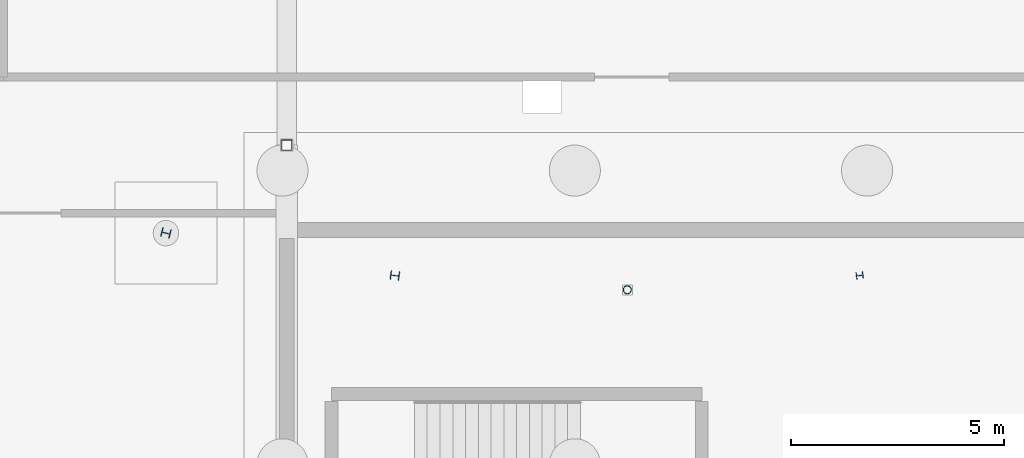
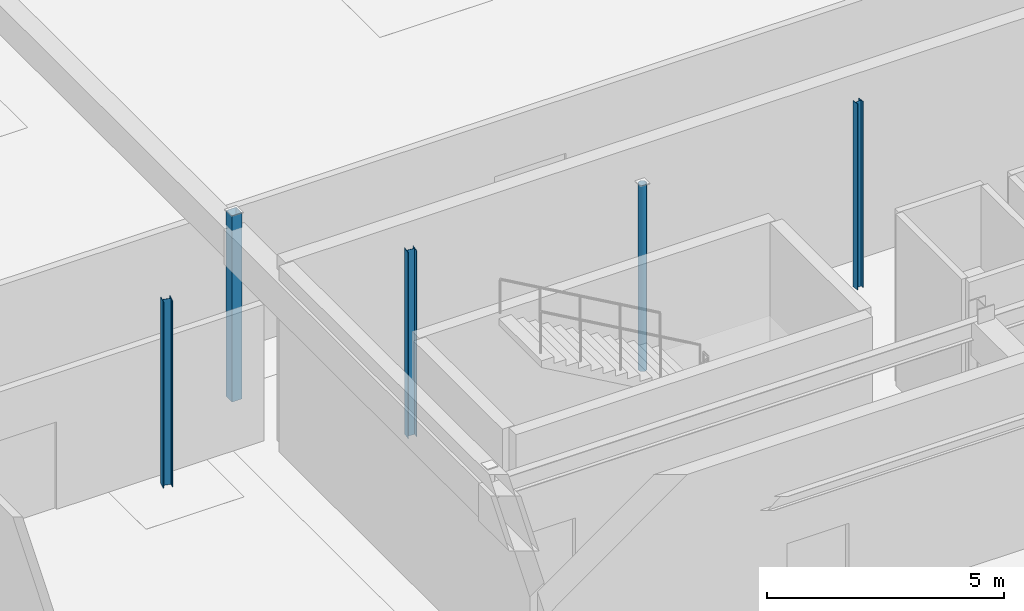
# One storey, part 23 of 136: 5 columns.
"""IFC4 building model written with IfcOpenShell, lengths in metres."""

import ifcopenshell
import ifcopenshell.guid

model = None  # the IFC model being written
_history = None  # IfcOwnerHistory: only IFC2X3 demands one
_inside = {}  # id of a spatial element -> (the spatial element, [elements in it])
_under = {}  # id of a project, library or spatial element -> (it, [spatial elements below it])
_declared = {}  # id of a project -> (the project, [libraries it declares])
_typed = {}  # id of a type object -> (the type object, [elements of that type])
_made_of = {}  # id of a material, layer set ... -> (it, [elements and type objects made of it])


def new_model(schema):
    """Start an empty IFC model of exactly this schema.

    Asked for "IFC4X3", IfcOpenShell would pick the latest addendum, in which some entities
    have other attributes; the version numbers below select the first issue.
    IFC2X3 requires an IfcOwnerHistory on every rooted entity: one is made here for all.
    """
    global model, _history
    if schema == "IFC4X3":
        model = ifcopenshell.file(schema_version=(4, 3, 0, 0))
    else:
        model = ifcopenshell.file(schema=schema)
    _inside.clear()
    _under.clear()
    _declared.clear()
    _typed.clear()
    _made_of.clear()
    _history = None
    if model.schema == "IFC2X3":
        org = make("IfcOrganization", Name="unknown")
        user = make(
            "IfcPersonAndOrganization",
            ThePerson=make("IfcPerson", FamilyName="unknown"),
            TheOrganization=org,
        )
        app = make(
            "IfcApplication",
            ApplicationDeveloper=org,
            Version="unknown",
            ApplicationFullName="unknown",
            ApplicationIdentifier="unknown",
        )
        _history = make(
            "IfcOwnerHistory",
            OwningUser=user,
            OwningApplication=app,
            ChangeAction="ADDED",
            CreationDate=0,
        )
    return model


def make(cls, **values):
    """One entity of the class cls with the attributes given. An attribute that is None is left unset."""
    return model.create_entity(
        cls, **{name: value for name, value in values.items() if value is not None}
    )


def rooted(cls, **values):
    """An entity with a GlobalId (a new one), such as an element, a storey or a relation."""
    return make(cls, GlobalId=ifcopenshell.guid.new(), OwnerHistory=_history, **values)


def si_unit(unit_type, name, prefix=None):
    """IfcSIUnit, for example si_unit("LENGTHUNIT", "METRE", prefix="MILLI")."""
    return make("IfcSIUnit", UnitType=unit_type, Prefix=prefix, Name=name)


def assignment(units):
    """IfcUnitAssignment: the units of a project."""
    return None if units is None else make("IfcUnitAssignment", Units=units)


def point(xyz):
    """IfcCartesianPoint."""
    return None if xyz is None else make("IfcCartesianPoint", Coordinates=xyz)


def direction(xyz):
    """IfcDirection."""
    return None if xyz is None else make("IfcDirection", DirectionRatios=xyz)


def frame(location, z_axis=None, x_axis=None):
    """IfcAxis2Placement3D, a coordinate frame: its origin and axes. An axis left out is left unset."""
    return make(
        "IfcAxis2Placement3D",
        Location=point(location),
        Axis=direction(z_axis),
        RefDirection=direction(x_axis),
    )


def frame_2d(location, x_axis=None):
    """IfcAxis2Placement2D, a coordinate frame in the plane: its origin and x axis."""
    return make(
        "IfcAxis2Placement2D", Location=point(location), RefDirection=direction(x_axis)
    )


def origin():
    """The frame at (0, 0, 0) with its axes left unset."""
    return frame((0.0, 0.0, 0.0))


def origin_2d():
    """The frame at (0, 0) in the plane with its x axis left unset."""
    return frame_2d((0.0, 0.0))


def place(relative_to, where):
    """IfcLocalPlacement: puts the frame where relative to a parent placement (None: the world)."""
    return make(
        "IfcLocalPlacement", PlacementRelTo=relative_to, RelativePlacement=where
    )


def context(
    kind, dimensions, precision=None, world=None, true_north=None, identifier=None
):
    """IfcGeometricRepresentationContext, for example the 3D "Model" context."""
    return make(
        "IfcGeometricRepresentationContext",
        ContextIdentifier=identifier,
        ContextType=kind,
        CoordinateSpaceDimension=dimensions,
        Precision=precision,
        WorldCoordinateSystem=world,
        TrueNorth=true_north,
    )


def subcontext(parent, identifier, kind, view, scale=None):
    """IfcGeometricRepresentationSubContext, for example "Body" below "Model"."""
    return make(
        "IfcGeometricRepresentationSubContext",
        ContextIdentifier=identifier,
        ContextType=kind,
        ParentContext=parent,
        TargetScale=scale,
        TargetView=view,
    )


def project(units=None, contexts=None):
    """IfcProject with its units and contexts."""
    return rooted(
        "IfcProject",
        Name="project",
        RepresentationContexts=contexts,
        UnitsInContext=assignment(units),
    )


def spatial(cls, under=None, at=None, **own):
    """A site, building, storey or space (cls), placed at a placement, below another one or the project."""
    s = rooted(cls, ObjectPlacement=at, **own)
    if under is not None:
        _under.setdefault(under.id(), (under, []))[1].append(s)
    return s


def profile(cls, at=None, kind="AREA", **sizes):
    """A parametric profile (cls). Its sizes go by their IFC names, for example OverallWidth=200.0."""
    return make(cls, ProfileType=kind, Position=at, **sizes)


def hollow_rectangle(**sizes):
    """IfcRectangleHollowProfileDef."""
    return profile("IfcRectangleHollowProfileDef", **sizes)


def hollow_circle(**sizes):
    """IfcCircleHollowProfileDef."""
    return profile("IfcCircleHollowProfileDef", **sizes)


def i_section(**sizes):
    """IfcIShapeProfileDef."""
    return profile("IfcIShapeProfileDef", **sizes)


def extrude(swept, where, along, depth):
    """IfcExtrudedAreaSolid: the profile swept, set in the frame where, extruded along a direction by depth."""
    return make(
        "IfcExtrudedAreaSolid",
        SweptArea=swept,
        Position=where,
        ExtrudedDirection=direction(along),
        Depth=depth,
    )


def shape(context_of_items, identifier, shape_type, items):
    """IfcShapeRepresentation: the items that make up one representation, for example the "Body"."""
    return make(
        "IfcShapeRepresentation",
        ContextOfItems=context_of_items,
        RepresentationIdentifier=identifier,
        RepresentationType=shape_type,
        Items=items,
    )


def material(Name=None, Category=None):
    """IfcMaterial."""
    return make("IfcMaterial", Name=Name, Category=Category)


def material_profile(
    of_material, cross_section, Name=None, Category=None, Priority=None
):
    """IfcMaterialProfile: a cross section and its material."""
    return make(
        "IfcMaterialProfile",
        Name=Name,
        Material=of_material,
        Profile=cross_section,
        Priority=Priority,
        Category=Category,
    )


def profile_set(profiles, Name=None, composite=None):
    """IfcMaterialProfileSet."""
    return make(
        "IfcMaterialProfileSet",
        Name=Name,
        MaterialProfiles=profiles,
        CompositeProfile=composite,
    )


def made_of(thing, what):
    """Note that an element or type object is made of a material, layer set ...; save() writes the relation."""
    if what is not None:
        _made_of.setdefault(what.id(), (what, []))[1].append(thing)
    return thing


def type_object(cls, material=None, **own):
    """A type object (cls), such as IfcWallType, which elements share."""
    return made_of(rooted(cls, **own), material)


def element(
    cls,
    number,
    at=None,
    inside=None,
    cuts=None,
    type_object=None,
    material=None,
    context=None,
    identifier="Body",
    shape_type=None,
    held_by="IfcProductDefinitionShape",
    body=None,
    shapes=None,
    **own,
):
    """One element of the class cls, such as IfcWall. Its Tag is "e" and its number.

    at: its placement. inside: the storey or other place that contains it. cuts: it is an
    opening in that element (IfcRelVoidsElement). A single representation is given by context,
    identifier, shape_type and body (its items); several are given by shapes. held_by: the class
    of the entity that holds the representations. save() writes the other relations.
    """
    e = rooted(cls, Tag="e%d" % number, ObjectPlacement=at, **own)
    if body is not None:
        shapes = [shape(context, identifier, shape_type, body)]
    if shapes is not None:
        e.Representation = make(held_by, Representations=shapes)
    if inside is not None:
        _inside.setdefault(inside.id(), (inside, []))[1].append(e)
    if cuts is not None:
        rooted(
            "IfcRelVoidsElement", RelatingBuildingElement=cuts, RelatedOpeningElement=e
        )
    if type_object is not None:
        _typed.setdefault(type_object.id(), (type_object, []))[1].append(e)
    return made_of(e, material)


def aggregate(whole, parts):
    """IfcRelAggregates: a whole, such as a stair, and the parts it consists of."""
    return rooted("IfcRelAggregates", RelatingObject=whole, RelatedObjects=parts)


def save(model, path):
    """Write the relations noted so far, then the file.

    IfcRelAggregates (storeys below a building ...), IfcRelContainedInSpatialStructure (elements
    in a storey), IfcRelDefinesByType, IfcRelAssociatesMaterial and IfcRelDeclares: one each for
    every whole, place, type object, material and project.
    """
    for whole, parts in _under.values():
        aggregate(whole, parts)
    for where, things in _inside.values():
        rooted(
            "IfcRelContainedInSpatialStructure",
            RelatedElements=things,
            RelatingStructure=where,
        )
    for kind, things in _typed.values():
        rooted("IfcRelDefinesByType", RelatedObjects=things, RelatingType=kind)
    for what, things in _made_of.values():
        rooted("IfcRelAssociatesMaterial", RelatedObjects=things, RelatingMaterial=what)
    for by, libraries in _declared.values():
        rooted("IfcRelDeclares", RelatingContext=by, RelatedDefinitions=libraries)
    model.write(path)


model = new_model("IFC4")

# Units and contexts
model_context = context("Model", 3, precision=1e-05, world=origin(), true_north=direction((0.0, 1.0)))
body_context = subcontext(model_context, "Body", "Model", "MODEL_VIEW")
ifc_project = project(units=[si_unit("LENGTHUNIT", "METRE"), si_unit("AREAUNIT", "SQUARE_METRE"), si_unit("VOLUMEUNIT", "CUBIC_METRE"), si_unit("PLANEANGLEUNIT", "RADIAN"), si_unit("MASSUNIT", "GRAM", prefix="KILO")], contexts=[model_context])

# Site, building, storey
site_placement = place(None, origin())
site = spatial("IfcSite", under=ifc_project, at=site_placement, CompositionType="ELEMENT")
building_placement = place(site_placement, origin())
building = spatial("IfcBuilding", under=site, at=building_placement, Name="Tarnwether General Hospital", CompositionType="ELEMENT")
storey_placement = place(building_placement, frame((0.0, 0.0, -4.800048828125)))
storey = spatial("IfcBuildingStorey", under=building, at=storey_placement, Name="LG", CompositionType="ELEMENT", Elevation=-4.800048828125)

# Columns
ifc_material_1 = material(Name="Steel Grade C350L0 (350 MPa)", Category="steel")
ifc_material_profile_1 = material_profile(ifc_material_1, hollow_rectangle(XDim=0.25, YDim=0.25, WallThickness=0.012451171875, at=origin_2d()), Name="SHS250x250x12.5")
ifc_profile_set_1 = profile_set([ifc_material_profile_1], Name="Steel Grade C350L0 (350 MPa)")
column_type_1 = type_object("IfcColumnType", Name="COL-14", PredefinedType="COLUMN", material=ifc_profile_set_1)
column_1_placement = place(storey_placement, frame((84.0, 21.60009765625, 0.0), z_axis=(0.0, 0.0, 1.0), x_axis=(0.0, 1.0, 0.0)))
element("IfcColumn", 1, at=column_1_placement, inside=storey, type_object=column_type_1, Name="Column COLG-LG-8400_2160", PredefinedType="COLUMN", context=body_context, shape_type="SweptSolid", body=[
    extrude(hollow_rectangle(XDim=0.25, YDim=0.25, WallThickness=0.012451171875, at=origin_2d()), origin(), (0.0, 0.0, 1.0), 4.800048828125),
])
ifc_material_2 = material(Name="Steel Grade 350 (350 MPa)", Category="steel")
ifc_material_profile_2 = material_profile(ifc_material_2, i_section(OverallWidth=0.205078125, OverallDepth=0.2099609375, WebThickness=0.00927734375, FlangeThickness=0.01416015625, at=origin_2d()), Name="200UC59.5")
ifc_profile_set_2 = profile_set([ifc_material_profile_2], Name="Steel Grade 350 (350 MPa)")
column_type_2 = type_object("IfcColumnType", Name="COL-25", PredefinedType="COLUMN", material=ifc_profile_set_2)
column_2_placement = place(storey_placement, frame((81.162109375, 19.531005859375, 0.0), z_axis=(0.0, 0.0, 1.0), x_axis=(0.2419218956, 0.970295726276, 0.0)))
element("IfcColumn", 2, at=column_2_placement, inside=storey, type_object=column_type_2, Name="Column COLG-LG-8116_1953", PredefinedType="COLUMN", context=body_context, shape_type="SweptSolid", body=[
    extrude(i_section(OverallWidth=0.205078125, OverallDepth=0.2099609375, WebThickness=0.00927734375, FlangeThickness=0.01416015625, at=origin_2d()), origin(), (0.0, 0.0, 1.0), 4.800048828125),
])
ifc_material_3 = material(Name="Steel Grade 350 (350 MPa)", Category="steel")
ifc_material_profile_3 = material_profile(ifc_material_3, i_section(OverallWidth=0.202880859375, OverallDepth=0.202880859375, WebThickness=0.00732421875, FlangeThickness=0.010986328125, at=origin_2d()), Name="200UC46.2")
ifc_profile_set_3 = profile_set([ifc_material_profile_3], Name="Steel Grade 350 (350 MPa)")
column_type_3 = type_object("IfcColumnType", Name="COL-27", PredefinedType="COLUMN", material=ifc_profile_set_3)
column_3_placement = place(storey_placement, frame((86.5400390625, 18.533935546875, 0.0), z_axis=(0.0, 0.0, 1.0), x_axis=(0.121869343405, 0.992546151641, 0.0)))
element("IfcColumn", 3, at=column_3_placement, inside=storey, type_object=column_type_3, Name="Column COLG-LG-8654_1853", PredefinedType="COLUMN", context=body_context, shape_type="SweptSolid", body=[
    extrude(i_section(OverallWidth=0.202880859375, OverallDepth=0.202880859375, WebThickness=0.00732421875, FlangeThickness=0.010986328125, at=origin_2d()), origin(), (0.0, 0.0, 1.0), 4.800048828125),
])
ifc_material_4 = material(Name="Steel Grade C350L0 (350 MPa)", Category="steel")
ifc_material_profile_4 = material_profile(ifc_material_4, hollow_circle(Radius=0.096923828125, WallThickness=0.008056640625, at=origin_2d()), Name="CHS193.7x8.0")
ifc_profile_set_4 = profile_set([ifc_material_profile_4], Name="Steel Grade C350L0 (350 MPa)")
column_type_4 = type_object("IfcColumnType", Name="COL-29", PredefinedType="COLUMN", material=ifc_profile_set_4)
column_4_placement = place(storey_placement, frame((92.0, 18.199951171875, 0.0), z_axis=(0.0, 0.0, 1.0), x_axis=(0.0, 1.0, 0.0)))
element("IfcColumn", 4, at=column_4_placement, inside=storey, type_object=column_type_4, Name="Column COLG-LG-9200_1820", PredefinedType="COLUMN", context=body_context, shape_type="SweptSolid", body=[
    extrude(hollow_circle(Radius=0.096923828125, WallThickness=0.008056640625, at=origin_2d()), origin(), (0.0, 0.0, 1.0), 4.800048828125),
])
ifc_material_5 = material(Name="Steel Grade 350 (350 MPa)", Category="steel")
ifc_material_profile_5 = material_profile(ifc_material_5, i_section(OverallWidth=0.153076171875, OverallDepth=0.157958984375, WebThickness=0.006591796875, FlangeThickness=0.009521484375, at=origin_2d()), Name="150UC30.0")
ifc_profile_set_5 = profile_set([ifc_material_profile_5], Name="Steel Grade 350 (350 MPa)")
column_type_5 = type_object("IfcColumnType", Name="COL-31", PredefinedType="COLUMN", material=ifc_profile_set_5)
column_5_placement = place(storey_placement, frame((97.4599609375, 18.533935546875, 0.0), z_axis=(0.0, 0.0, 1.0), x_axis=(-0.121869343405, 0.992546151641, 0.0)))
element("IfcColumn", 5, at=column_5_placement, inside=storey, type_object=column_type_5, Name="Column COLG-LG-9746_1853", PredefinedType="COLUMN", context=body_context, shape_type="SweptSolid", body=[
    extrude(i_section(OverallWidth=0.153076171875, OverallDepth=0.157958984375, WebThickness=0.006591796875, FlangeThickness=0.009521484375, at=origin_2d()), origin(), (0.0, 0.0, 1.0), 4.800048828125),
])

save(model, "model.ifc")
